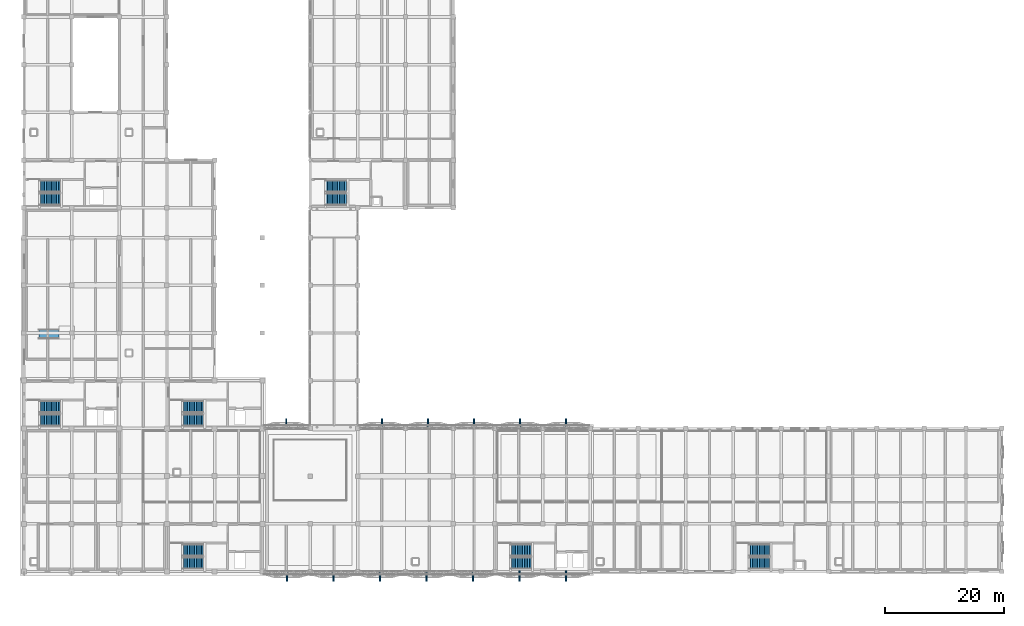
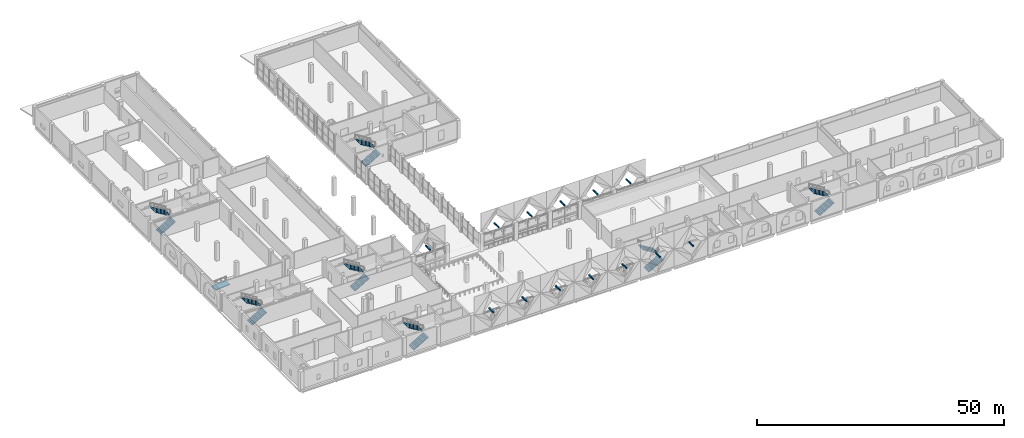
# One storey, part 37 of 53: 14 stair flights, 13 discrete accessories, 1 ramp flight, 8 elements without a shape of their own.
"""IFC4 building model written with IfcOpenShell, lengths in metres."""

from ifc_helpers import new_model, si_unit, direction, frame, origin, origin_2d, place, context, subcontext, project, spatial, polyline, rectangle, outline, extrude, material, layer, layer_set, type_object, element, aggregate, save


model = new_model("IFC4")

# Units and contexts
model_context = context("Model", 3, precision=1e-05, world=origin(), true_north=direction((0.0, 1.0)))
body_context = subcontext(model_context, "Body", "Model", "MODEL_VIEW")
ifc_project = project(units=[si_unit("LENGTHUNIT", "METRE"), si_unit("AREAUNIT", "SQUARE_METRE"), si_unit("VOLUMEUNIT", "CUBIC_METRE"), si_unit("PLANEANGLEUNIT", "RADIAN"), si_unit("MASSUNIT", "GRAM", prefix="KILO")], contexts=[model_context])

# Site, building, storey
site_placement = place(None, origin())
site = spatial("IfcSite", under=ifc_project, at=site_placement, CompositionType="ELEMENT")
building_placement = place(site_placement, origin())
building = spatial("IfcBuilding", under=site, at=building_placement, Name="Qorikala Patio Media Centre", CompositionType="ELEMENT")
storey_placement = place(building_placement, frame((0.0, 0.0, 5.39990234375)))
storey = spatial("IfcBuildingStorey", under=building, at=storey_placement, Name="L01", CompositionType="ELEMENT", Elevation=5.39990234375)

# Stair, stair flights
ifc_material_1 = material(Name="Precast concrete C40/50", Category="concrete")
stair_type = type_object("IfcStairType", Name="ST-DL-26R173W200", PredefinedType="HALF_TURN_STAIR", material=ifc_material_1)
stair_1_placement = place(storey_placement, origin())
stair_1 = element("IfcStair", 1, at=stair_1_placement, inside=storey, type_object=stair_type, Name="L01 Core C1 Exit Stair ST-1", PredefinedType="HALF_TURN_STAIR")
stair_flight_type = type_object("IfcStairFlightType", Name="FL-DL-13R173W200", PredefinedType="STRAIGHT", material=ifc_material_1)
stair_flight_1_placement = place(storey_placement, frame((29.60009765625, 4.39990234375, 0.0), z_axis=(0.0, 0.0, 1.0), x_axis=(1.0, 0.0, 0.0)))
stair_flight_1 = element("IfcStairFlight", 2, at=stair_flight_1_placement, type_object=stair_flight_type, Name="ST-1 flight 1", NumberOfRisers=13, NumberOfTreads=12, PredefinedType="STRAIGHT", RiserHeight=0.173076923, TreadLength=0.29, context=body_context, shape_type="SweptSolid", body=[
    extrude(outline(polyline([(0.0, 0.0), (0.0, 0.173095703125), (0.2900390625, 0.173095703125), (0.2900390625, 0.34619140625), (0.580078125, 0.34619140625), (0.580078125, 0.519287109375), (0.8701171875, 0.519287109375), (0.8701171875, 0.6923828125), (1.159912109375, 0.6923828125), (1.159912109375, 0.865478515625), (1.449951171875, 0.865478515625), (1.449951171875, 1.03857421875), (1.739990234375, 1.03857421875), (1.739990234375, 1.21142578125), (2.030029296875, 1.21142578125), (2.030029296875, 1.384521484375), (2.320068359375, 1.384521484375), (2.320068359375, 1.5576171875), (2.610107421875, 1.5576171875), (2.610107421875, 1.730712890625), (2.89990234375, 1.730712890625), (2.89990234375, 1.90380859375), (3.18994140625, 1.90380859375), (3.18994140625, 2.076904296875), (3.47998046875, 2.076904296875), (3.47998046875, 2.25), (3.47998046875, 1.90234375), (0.29248046875, 0.0), (0.0, 0.0)])), frame((0.0, 1.0, 0.0), z_axis=(0.0, -1.0, 0.0), x_axis=(1.0, 0.0, 0.0)), (0.0, 0.0, 1.0), 2.0),
])
stair_flight_2_placement = place(storey_placement, frame((33.080078125, 6.60009765625, 2.25), z_axis=(0.0, 0.0, 1.0), x_axis=(-1.0, 0.0, 0.0)))
stair_flight_2 = element("IfcStairFlight", 3, at=stair_flight_2_placement, type_object=stair_flight_type, Name="ST-1 flight 2", NumberOfRisers=13, NumberOfTreads=12, PredefinedType="STRAIGHT", RiserHeight=0.173076923, TreadLength=0.29, context=body_context, shape_type="SweptSolid", body=[
    extrude(outline(polyline([(0.0, 0.0), (0.0, 0.173095703125), (0.2900390625, 0.173095703125), (0.2900390625, 0.34619140625), (0.580078125, 0.34619140625), (0.580078125, 0.519287109375), (0.8701171875, 0.519287109375), (0.8701171875, 0.6923828125), (1.159912109375, 0.6923828125), (1.159912109375, 0.865478515625), (1.449951171875, 0.865478515625), (1.449951171875, 1.03857421875), (1.739990234375, 1.03857421875), (1.739990234375, 1.21142578125), (2.030029296875, 1.21142578125), (2.030029296875, 1.384521484375), (2.320068359375, 1.384521484375), (2.320068359375, 1.5576171875), (2.610107421875, 1.5576171875), (2.610107421875, 1.730712890625), (2.89990234375, 1.730712890625), (2.89990234375, 1.90380859375), (3.18994140625, 1.90380859375), (3.18994140625, 2.076904296875), (3.47998046875, 2.076904296875), (3.47998046875, 2.25), (3.47998046875, 1.90234375), (0.29248046875, 0.0), (0.0, 0.0)])), frame((0.0, 1.0, 0.0), z_axis=(0.0, -1.0, 0.0), x_axis=(1.0, 0.0, 0.0)), (0.0, 0.0, 1.0), 2.0),
])
aggregate(stair_1, [stair_flight_1, stair_flight_2])

stair_2_placement = place(storey_placement, origin())
stair_2 = element("IfcStair", 4, at=stair_2_placement, inside=storey, type_object=stair_type, Name="L01 Core C2 Exit Stair ST-2", PredefinedType="HALF_TURN_STAIR")
stair_flight_3_placement = place(storey_placement, frame((5.60009765625, 28.39990234375, 0.0), z_axis=(0.0, 0.0, 1.0), x_axis=(1.0, 0.0, 0.0)))
stair_flight_3 = element("IfcStairFlight", 5, at=stair_flight_3_placement, type_object=stair_flight_type, Name="ST-2 flight 1", NumberOfRisers=13, NumberOfTreads=12, PredefinedType="STRAIGHT", RiserHeight=0.173076923, TreadLength=0.29, context=body_context, shape_type="SweptSolid", body=[
    extrude(outline(polyline([(0.0, 0.0), (0.0, 0.173095703125), (0.2900390625, 0.173095703125), (0.2900390625, 0.34619140625), (0.580078125, 0.34619140625), (0.580078125, 0.519287109375), (0.8701171875, 0.519287109375), (0.8701171875, 0.6923828125), (1.159912109375, 0.6923828125), (1.159912109375, 0.865478515625), (1.449951171875, 0.865478515625), (1.449951171875, 1.03857421875), (1.739990234375, 1.03857421875), (1.739990234375, 1.21142578125), (2.030029296875, 1.21142578125), (2.030029296875, 1.384521484375), (2.320068359375, 1.384521484375), (2.320068359375, 1.5576171875), (2.610107421875, 1.5576171875), (2.610107421875, 1.730712890625), (2.89990234375, 1.730712890625), (2.89990234375, 1.90380859375), (3.18994140625, 1.90380859375), (3.18994140625, 2.076904296875), (3.47998046875, 2.076904296875), (3.47998046875, 2.25), (3.47998046875, 1.90234375), (0.29248046875, 0.0), (0.0, 0.0)])), frame((0.0, 1.0, 0.0), z_axis=(0.0, -1.0, 0.0), x_axis=(1.0, 0.0, 0.0)), (0.0, 0.0, 1.0), 2.0),
])
stair_flight_4_placement = place(storey_placement, frame((9.080078125, 30.60009765625, 2.25), z_axis=(0.0, 0.0, 1.0), x_axis=(-1.0, 0.0, 0.0)))
stair_flight_4 = element("IfcStairFlight", 6, at=stair_flight_4_placement, type_object=stair_flight_type, Name="ST-2 flight 2", NumberOfRisers=13, NumberOfTreads=12, PredefinedType="STRAIGHT", RiserHeight=0.173076923, TreadLength=0.29, context=body_context, shape_type="SweptSolid", body=[
    extrude(outline(polyline([(0.0, 0.0), (0.0, 0.173095703125), (0.2900390625, 0.173095703125), (0.2900390625, 0.34619140625), (0.580078125, 0.34619140625), (0.580078125, 0.519287109375), (0.8701171875, 0.519287109375), (0.8701171875, 0.6923828125), (1.159912109375, 0.6923828125), (1.159912109375, 0.865478515625), (1.449951171875, 0.865478515625), (1.449951171875, 1.03857421875), (1.739990234375, 1.03857421875), (1.739990234375, 1.21142578125), (2.030029296875, 1.21142578125), (2.030029296875, 1.384521484375), (2.320068359375, 1.384521484375), (2.320068359375, 1.5576171875), (2.610107421875, 1.5576171875), (2.610107421875, 1.730712890625), (2.89990234375, 1.730712890625), (2.89990234375, 1.90380859375), (3.18994140625, 1.90380859375), (3.18994140625, 2.076904296875), (3.47998046875, 2.076904296875), (3.47998046875, 2.25), (3.47998046875, 1.90234375), (0.29248046875, 0.0), (0.0, 0.0)])), frame((0.0, 1.0, 0.0), z_axis=(0.0, -1.0, 0.0), x_axis=(1.0, 0.0, 0.0)), (0.0, 0.0, 1.0), 2.0),
])
aggregate(stair_2, [stair_flight_3, stair_flight_4])

stair_3_placement = place(storey_placement, origin())
stair_3 = element("IfcStair", 7, at=stair_3_placement, inside=storey, type_object=stair_type, Name="L01 Core C3 Exit Stair ST-3", PredefinedType="HALF_TURN_STAIR")
stair_flight_5_placement = place(storey_placement, frame((5.60009765625, 65.39990234375, 0.0), z_axis=(0.0, 0.0, 1.0), x_axis=(1.0, 0.0, 0.0)))
stair_flight_5 = element("IfcStairFlight", 8, at=stair_flight_5_placement, type_object=stair_flight_type, Name="ST-3 flight 1", NumberOfRisers=13, NumberOfTreads=12, PredefinedType="STRAIGHT", RiserHeight=0.173076923, TreadLength=0.29, context=body_context, shape_type="SweptSolid", body=[
    extrude(outline(polyline([(0.0, 0.0), (0.0, 0.173095703125), (0.2900390625, 0.173095703125), (0.2900390625, 0.34619140625), (0.580078125, 0.34619140625), (0.580078125, 0.519287109375), (0.8701171875, 0.519287109375), (0.8701171875, 0.6923828125), (1.159912109375, 0.6923828125), (1.159912109375, 0.865478515625), (1.449951171875, 0.865478515625), (1.449951171875, 1.03857421875), (1.739990234375, 1.03857421875), (1.739990234375, 1.21142578125), (2.030029296875, 1.21142578125), (2.030029296875, 1.384521484375), (2.320068359375, 1.384521484375), (2.320068359375, 1.5576171875), (2.610107421875, 1.5576171875), (2.610107421875, 1.730712890625), (2.89990234375, 1.730712890625), (2.89990234375, 1.90380859375), (3.18994140625, 1.90380859375), (3.18994140625, 2.076904296875), (3.47998046875, 2.076904296875), (3.47998046875, 2.25), (3.47998046875, 1.90234375), (0.29248046875, 0.0), (0.0, 0.0)])), frame((0.0, 1.0, 0.0), z_axis=(0.0, -1.0, 0.0), x_axis=(1.0, 0.0, 0.0)), (0.0, 0.0, 1.0), 2.0),
])
stair_flight_6_placement = place(storey_placement, frame((9.080078125, 67.60009765625, 2.25), z_axis=(0.0, 0.0, 1.0), x_axis=(-1.0, 0.0, 0.0)))
stair_flight_6 = element("IfcStairFlight", 9, at=stair_flight_6_placement, type_object=stair_flight_type, Name="ST-3 flight 2", NumberOfRisers=13, NumberOfTreads=12, PredefinedType="STRAIGHT", RiserHeight=0.173076923, TreadLength=0.29, context=body_context, shape_type="SweptSolid", body=[
    extrude(outline(polyline([(0.0, 0.0), (0.0, 0.173095703125), (0.2900390625, 0.173095703125), (0.2900390625, 0.34619140625), (0.580078125, 0.34619140625), (0.580078125, 0.519287109375), (0.8701171875, 0.519287109375), (0.8701171875, 0.6923828125), (1.159912109375, 0.6923828125), (1.159912109375, 0.865478515625), (1.449951171875, 0.865478515625), (1.449951171875, 1.03857421875), (1.739990234375, 1.03857421875), (1.739990234375, 1.21142578125), (2.030029296875, 1.21142578125), (2.030029296875, 1.384521484375), (2.320068359375, 1.384521484375), (2.320068359375, 1.5576171875), (2.610107421875, 1.5576171875), (2.610107421875, 1.730712890625), (2.89990234375, 1.730712890625), (2.89990234375, 1.90380859375), (3.18994140625, 1.90380859375), (3.18994140625, 2.076904296875), (3.47998046875, 2.076904296875), (3.47998046875, 2.25), (3.47998046875, 1.90234375), (0.29248046875, 0.0), (0.0, 0.0)])), frame((0.0, 1.0, 0.0), z_axis=(0.0, -1.0, 0.0), x_axis=(1.0, 0.0, 0.0)), (0.0, 0.0, 1.0), 2.0),
])
aggregate(stair_3, [stair_flight_5, stair_flight_6])

stair_4_placement = place(storey_placement, origin())
stair_4 = element("IfcStair", 10, at=stair_4_placement, inside=storey, type_object=stair_type, Name="L01 Core C4 Exit Stair ST-4", PredefinedType="HALF_TURN_STAIR")
stair_flight_7_placement = place(storey_placement, frame((84.60009765625, 4.39990234375, 0.0), z_axis=(0.0, 0.0, 1.0), x_axis=(1.0, 0.0, 0.0)))
stair_flight_7 = element("IfcStairFlight", 11, at=stair_flight_7_placement, type_object=stair_flight_type, Name="ST-4 flight 1", NumberOfRisers=13, NumberOfTreads=12, PredefinedType="STRAIGHT", RiserHeight=0.173076923, TreadLength=0.29, context=body_context, shape_type="SweptSolid", body=[
    extrude(outline(polyline([(0.0, 0.0), (0.0, 0.173095703125), (0.2900390625, 0.173095703125), (0.2900390625, 0.34619140625), (0.580078125, 0.34619140625), (0.580078125, 0.519287109375), (0.8701171875, 0.519287109375), (0.8701171875, 0.6923828125), (1.159912109375, 0.6923828125), (1.159912109375, 0.865478515625), (1.449951171875, 0.865478515625), (1.449951171875, 1.03857421875), (1.739990234375, 1.03857421875), (1.739990234375, 1.21142578125), (2.030029296875, 1.21142578125), (2.030029296875, 1.384521484375), (2.320068359375, 1.384521484375), (2.320068359375, 1.5576171875), (2.610107421875, 1.5576171875), (2.610107421875, 1.730712890625), (2.89990234375, 1.730712890625), (2.89990234375, 1.90380859375), (3.18994140625, 1.90380859375), (3.18994140625, 2.076904296875), (3.47998046875, 2.076904296875), (3.47998046875, 2.25), (3.47998046875, 1.90234375), (0.29248046875, 0.0), (0.0, 0.0)])), frame((0.0, 1.0, 0.0), z_axis=(0.0, -1.0, 0.0), x_axis=(1.0, 0.0, 0.0)), (0.0, 0.0, 1.0), 2.0),
])
stair_flight_8_placement = place(storey_placement, frame((88.080078125, 6.60009765625, 2.25), z_axis=(0.0, 0.0, 1.0), x_axis=(-1.0, 0.0, 0.0)))
stair_flight_8 = element("IfcStairFlight", 12, at=stair_flight_8_placement, type_object=stair_flight_type, Name="ST-4 flight 2", NumberOfRisers=13, NumberOfTreads=12, PredefinedType="STRAIGHT", RiserHeight=0.173076923, TreadLength=0.29, context=body_context, shape_type="SweptSolid", body=[
    extrude(outline(polyline([(0.0, 0.0), (0.0, 0.173095703125), (0.2900390625, 0.173095703125), (0.2900390625, 0.34619140625), (0.580078125, 0.34619140625), (0.580078125, 0.519287109375), (0.8701171875, 0.519287109375), (0.8701171875, 0.6923828125), (1.159912109375, 0.6923828125), (1.159912109375, 0.865478515625), (1.449951171875, 0.865478515625), (1.449951171875, 1.03857421875), (1.739990234375, 1.03857421875), (1.739990234375, 1.21142578125), (2.030029296875, 1.21142578125), (2.030029296875, 1.384521484375), (2.320068359375, 1.384521484375), (2.320068359375, 1.5576171875), (2.610107421875, 1.5576171875), (2.610107421875, 1.730712890625), (2.89990234375, 1.730712890625), (2.89990234375, 1.90380859375), (3.18994140625, 1.90380859375), (3.18994140625, 2.076904296875), (3.47998046875, 2.076904296875), (3.47998046875, 2.25), (3.47998046875, 1.90234375), (0.29248046875, 0.0), (0.0, 0.0)])), frame((0.0, 1.0, 0.0), z_axis=(0.0, -1.0, 0.0), x_axis=(1.0, 0.0, 0.0)), (0.0, 0.0, 1.0), 2.0),
])
aggregate(stair_4, [stair_flight_7, stair_flight_8])

stair_5_placement = place(storey_placement, origin())
stair_5 = element("IfcStair", 13, at=stair_5_placement, inside=storey, type_object=stair_type, Name="L01 Core C5 Exit Stair ST-5", PredefinedType="HALF_TURN_STAIR")
stair_flight_9_placement = place(storey_placement, frame((29.60009765625, 28.39990234375, 0.0), z_axis=(0.0, 0.0, 1.0), x_axis=(1.0, 0.0, 0.0)))
stair_flight_9 = element("IfcStairFlight", 14, at=stair_flight_9_placement, type_object=stair_flight_type, Name="ST-5 flight 1", NumberOfRisers=13, NumberOfTreads=12, PredefinedType="STRAIGHT", RiserHeight=0.173076923, TreadLength=0.29, context=body_context, shape_type="SweptSolid", body=[
    extrude(outline(polyline([(0.0, 0.0), (0.0, 0.173095703125), (0.2900390625, 0.173095703125), (0.2900390625, 0.34619140625), (0.580078125, 0.34619140625), (0.580078125, 0.519287109375), (0.8701171875, 0.519287109375), (0.8701171875, 0.6923828125), (1.159912109375, 0.6923828125), (1.159912109375, 0.865478515625), (1.449951171875, 0.865478515625), (1.449951171875, 1.03857421875), (1.739990234375, 1.03857421875), (1.739990234375, 1.21142578125), (2.030029296875, 1.21142578125), (2.030029296875, 1.384521484375), (2.320068359375, 1.384521484375), (2.320068359375, 1.5576171875), (2.610107421875, 1.5576171875), (2.610107421875, 1.730712890625), (2.89990234375, 1.730712890625), (2.89990234375, 1.90380859375), (3.18994140625, 1.90380859375), (3.18994140625, 2.076904296875), (3.47998046875, 2.076904296875), (3.47998046875, 2.25), (3.47998046875, 1.90234375), (0.29248046875, 0.0), (0.0, 0.0)])), frame((0.0, 1.0, 0.0), z_axis=(0.0, -1.0, 0.0), x_axis=(1.0, 0.0, 0.0)), (0.0, 0.0, 1.0), 2.0),
])
stair_flight_10_placement = place(storey_placement, frame((33.080078125, 30.60009765625, 2.25), z_axis=(0.0, 0.0, 1.0), x_axis=(-1.0, 0.0, 0.0)))
stair_flight_10 = element("IfcStairFlight", 15, at=stair_flight_10_placement, type_object=stair_flight_type, Name="ST-5 flight 2", NumberOfRisers=13, NumberOfTreads=12, PredefinedType="STRAIGHT", RiserHeight=0.173076923, TreadLength=0.29, context=body_context, shape_type="SweptSolid", body=[
    extrude(outline(polyline([(0.0, 0.0), (0.0, 0.173095703125), (0.2900390625, 0.173095703125), (0.2900390625, 0.34619140625), (0.580078125, 0.34619140625), (0.580078125, 0.519287109375), (0.8701171875, 0.519287109375), (0.8701171875, 0.6923828125), (1.159912109375, 0.6923828125), (1.159912109375, 0.865478515625), (1.449951171875, 0.865478515625), (1.449951171875, 1.03857421875), (1.739990234375, 1.03857421875), (1.739990234375, 1.21142578125), (2.030029296875, 1.21142578125), (2.030029296875, 1.384521484375), (2.320068359375, 1.384521484375), (2.320068359375, 1.5576171875), (2.610107421875, 1.5576171875), (2.610107421875, 1.730712890625), (2.89990234375, 1.730712890625), (2.89990234375, 1.90380859375), (3.18994140625, 1.90380859375), (3.18994140625, 2.076904296875), (3.47998046875, 2.076904296875), (3.47998046875, 2.25), (3.47998046875, 1.90234375), (0.29248046875, 0.0), (0.0, 0.0)])), frame((0.0, 1.0, 0.0), z_axis=(0.0, -1.0, 0.0), x_axis=(1.0, 0.0, 0.0)), (0.0, 0.0, 1.0), 2.0),
])
aggregate(stair_5, [stair_flight_9, stair_flight_10])

stair_6_placement = place(storey_placement, origin())
stair_6 = element("IfcStair", 16, at=stair_6_placement, inside=storey, type_object=stair_type, Name="L01 Core C6 Exit Stair ST-6", PredefinedType="HALF_TURN_STAIR")
stair_flight_11_placement = place(storey_placement, frame((53.60009765625, 65.39990234375, 0.0), z_axis=(0.0, 0.0, 1.0), x_axis=(1.0, 0.0, 0.0)))
stair_flight_11 = element("IfcStairFlight", 17, at=stair_flight_11_placement, type_object=stair_flight_type, Name="ST-6 flight 1", NumberOfRisers=13, NumberOfTreads=12, PredefinedType="STRAIGHT", RiserHeight=0.173076923, TreadLength=0.29, context=body_context, shape_type="SweptSolid", body=[
    extrude(outline(polyline([(0.0, 0.0), (0.0, 0.173095703125), (0.2900390625, 0.173095703125), (0.2900390625, 0.34619140625), (0.580078125, 0.34619140625), (0.580078125, 0.519287109375), (0.8701171875, 0.519287109375), (0.8701171875, 0.6923828125), (1.159912109375, 0.6923828125), (1.159912109375, 0.865478515625), (1.449951171875, 0.865478515625), (1.449951171875, 1.03857421875), (1.739990234375, 1.03857421875), (1.739990234375, 1.21142578125), (2.030029296875, 1.21142578125), (2.030029296875, 1.384521484375), (2.320068359375, 1.384521484375), (2.320068359375, 1.5576171875), (2.610107421875, 1.5576171875), (2.610107421875, 1.730712890625), (2.89990234375, 1.730712890625), (2.89990234375, 1.90380859375), (3.18994140625, 1.90380859375), (3.18994140625, 2.076904296875), (3.47998046875, 2.076904296875), (3.47998046875, 2.25), (3.47998046875, 1.90234375), (0.29248046875, 0.0), (0.0, 0.0)])), frame((0.0, 1.0, 0.0), z_axis=(0.0, -1.0, 0.0), x_axis=(1.0, 0.0, 0.0)), (0.0, 0.0, 1.0), 2.0),
])
stair_flight_12_placement = place(storey_placement, frame((57.080078125, 67.60009765625, 2.25), z_axis=(0.0, 0.0, 1.0), x_axis=(-1.0, 0.0, 0.0)))
stair_flight_12 = element("IfcStairFlight", 18, at=stair_flight_12_placement, type_object=stair_flight_type, Name="ST-6 flight 2", NumberOfRisers=13, NumberOfTreads=12, PredefinedType="STRAIGHT", RiserHeight=0.173076923, TreadLength=0.29, context=body_context, shape_type="SweptSolid", body=[
    extrude(outline(polyline([(0.0, 0.0), (0.0, 0.173095703125), (0.2900390625, 0.173095703125), (0.2900390625, 0.34619140625), (0.580078125, 0.34619140625), (0.580078125, 0.519287109375), (0.8701171875, 0.519287109375), (0.8701171875, 0.6923828125), (1.159912109375, 0.6923828125), (1.159912109375, 0.865478515625), (1.449951171875, 0.865478515625), (1.449951171875, 1.03857421875), (1.739990234375, 1.03857421875), (1.739990234375, 1.21142578125), (2.030029296875, 1.21142578125), (2.030029296875, 1.384521484375), (2.320068359375, 1.384521484375), (2.320068359375, 1.5576171875), (2.610107421875, 1.5576171875), (2.610107421875, 1.730712890625), (2.89990234375, 1.730712890625), (2.89990234375, 1.90380859375), (3.18994140625, 1.90380859375), (3.18994140625, 2.076904296875), (3.47998046875, 2.076904296875), (3.47998046875, 2.25), (3.47998046875, 1.90234375), (0.29248046875, 0.0), (0.0, 0.0)])), frame((0.0, 1.0, 0.0), z_axis=(0.0, -1.0, 0.0), x_axis=(1.0, 0.0, 0.0)), (0.0, 0.0, 1.0), 2.0),
])
aggregate(stair_6, [stair_flight_11, stair_flight_12])

stair_7_placement = place(storey_placement, origin())
stair_7 = element("IfcStair", 19, at=stair_7_placement, inside=storey, type_object=stair_type, Name="L01 Core C7 Exit Stair ST-7", PredefinedType="HALF_TURN_STAIR")
stair_flight_13_placement = place(storey_placement, frame((124.60009765625, 4.39990234375, 0.0), z_axis=(0.0, 0.0, 1.0), x_axis=(1.0, 0.0, 0.0)))
stair_flight_13 = element("IfcStairFlight", 20, at=stair_flight_13_placement, type_object=stair_flight_type, Name="ST-7 flight 1", NumberOfRisers=13, NumberOfTreads=12, PredefinedType="STRAIGHT", RiserHeight=0.173076923, TreadLength=0.29, context=body_context, shape_type="SweptSolid", body=[
    extrude(outline(polyline([(0.0, 0.0), (0.0, 0.173095703125), (0.2900390625, 0.173095703125), (0.2900390625, 0.34619140625), (0.580078125, 0.34619140625), (0.580078125, 0.519287109375), (0.8701171875, 0.519287109375), (0.8701171875, 0.6923828125), (1.159912109375, 0.6923828125), (1.159912109375, 0.865478515625), (1.449951171875, 0.865478515625), (1.449951171875, 1.03857421875), (1.739990234375, 1.03857421875), (1.739990234375, 1.21142578125), (2.030029296875, 1.21142578125), (2.030029296875, 1.384521484375), (2.320068359375, 1.384521484375), (2.320068359375, 1.5576171875), (2.610107421875, 1.5576171875), (2.610107421875, 1.730712890625), (2.89990234375, 1.730712890625), (2.89990234375, 1.90380859375), (3.18994140625, 1.90380859375), (3.18994140625, 2.076904296875), (3.47998046875, 2.076904296875), (3.47998046875, 2.25), (3.47998046875, 1.90234375), (0.29248046875, 0.0), (0.0, 0.0)])), frame((0.0, 1.0, 0.0), z_axis=(0.0, -1.0, 0.0), x_axis=(1.0, 0.0, 0.0)), (0.0, 0.0, 1.0), 2.0),
])
stair_flight_14_placement = place(storey_placement, frame((128.080078125, 6.60009765625, 2.25), z_axis=(0.0, 0.0, 1.0), x_axis=(-1.0, 0.0, 0.0)))
stair_flight_14 = element("IfcStairFlight", 21, at=stair_flight_14_placement, type_object=stair_flight_type, Name="ST-7 flight 2", NumberOfRisers=13, NumberOfTreads=12, PredefinedType="STRAIGHT", RiserHeight=0.173076923, TreadLength=0.29, context=body_context, shape_type="SweptSolid", body=[
    extrude(outline(polyline([(0.0, 0.0), (0.0, 0.173095703125), (0.2900390625, 0.173095703125), (0.2900390625, 0.34619140625), (0.580078125, 0.34619140625), (0.580078125, 0.519287109375), (0.8701171875, 0.519287109375), (0.8701171875, 0.6923828125), (1.159912109375, 0.6923828125), (1.159912109375, 0.865478515625), (1.449951171875, 0.865478515625), (1.449951171875, 1.03857421875), (1.739990234375, 1.03857421875), (1.739990234375, 1.21142578125), (2.030029296875, 1.21142578125), (2.030029296875, 1.384521484375), (2.320068359375, 1.384521484375), (2.320068359375, 1.5576171875), (2.610107421875, 1.5576171875), (2.610107421875, 1.730712890625), (2.89990234375, 1.730712890625), (2.89990234375, 1.90380859375), (3.18994140625, 1.90380859375), (3.18994140625, 2.076904296875), (3.47998046875, 2.076904296875), (3.47998046875, 2.25), (3.47998046875, 1.90234375), (0.29248046875, 0.0), (0.0, 0.0)])), frame((0.0, 1.0, 0.0), z_axis=(0.0, -1.0, 0.0), x_axis=(1.0, 0.0, 0.0)), (0.0, 0.0, 1.0), 2.0),
])
aggregate(stair_7, [stair_flight_13, stair_flight_14])

# Ramp, ramp flight
ifc_material_2 = material(Name="Comanche Granite and Concrete C35/45", Category="masonry")
ramp_type = type_object("IfcRampType", Name="RMP-PED", PredefinedType="STRAIGHT_RUN_RAMP", material=ifc_material_2)
ramp_placement = place(storey_placement, origin())
ramp = element("IfcRamp", 22, at=ramp_placement, inside=storey, type_object=ramp_type, Name="L01 Accessible Pedestrian Ramp RP-02", PredefinedType="STRAIGHT_RUN_RAMP")
ifc_layer = layer(ifc_material_2, 0.219970703125)
ifc_layer_set = layer_set([ifc_layer], Name="Comanche Granite and Concrete C35/45")
ramp_flight_type = type_object("IfcRampFlightType", Name="RMF-PED", PredefinedType="STRAIGHT", material=ifc_layer_set)
ramp_flight_placement = place(storey_placement, frame((5.5, 42.0, 0.0), z_axis=(-0.071241899553, 0.0, 0.997459067706), x_axis=(0.997459067706, 0.0, 0.071241899553)))
ramp_flight = element("IfcRampFlight", 23, at=ramp_flight_placement, type_object=ramp_flight_type, Name="L01 Accessible Ramp Flight RP-02", PredefinedType="STRAIGHT", context=body_context, shape_type="SweptSolid", body=[
    extrude(outline(polyline([(0.0, 0.0), (3.3686669765850747, 0.0), (3.3686669765850747, 1.60009765625), (0.0, 1.60009765625), (0.0, 0.0)])), origin(), (0.0, 0.0, -1.0), 0.219970703125),
])
aggregate(ramp, [ramp_flight])

# Discrete accessories
ifc_material_3 = material(Name="Steel S355", Category="steel")
discrete_accessory_type = type_object("IfcDiscreteAccessoryType", Name="ACC-BRACKET", PredefinedType="BRACKET", material=ifc_material_3)
for number, where, z_axis, x_axis, name in (
    (24, (47.10009765625, 2.235107421875, 4.3798828125), (0.0, 0.0, 1.0), (1.0, 0.0, 0.0), "Foyer 3D Diamond Apex Bracket S-151"),
    (25, (54.89990234375, 2.235107421875, 4.3798828125), (0.0, 0.0, 1.0), (1.0, 0.0, 0.0), "Foyer 3D Diamond Apex Bracket S-152"),
    (26, (62.699951171875, 2.235107421875, 4.3798828125), (0.0, 0.0, 1.0), (1.0, 0.0, 0.0), "Foyer 3D Diamond Apex Bracket S-153"),
    (27, (70.5, 2.235107421875, 4.3798828125), (0.0, 0.0, 1.0), (1.0, 0.0, 0.0), "Foyer 3D Diamond Apex Bracket S-154"),
    (28, (78.300048828125, 2.235107421875, 4.3798828125), (0.0, 0.0, 1.0), (1.0, 0.0, 0.0), "Foyer 3D Diamond Apex Bracket S-155"),
    (29, (86.10009765625, 2.235107421875, 4.3798828125), (0.0, 0.0, 1.0), (1.0, 0.0, 0.0), "Foyer 3D Diamond Apex Bracket S-156"),
    (30, (93.89990234375, 2.235107421875, 4.3798828125), (0.0, 0.0, 1.0), (1.0, 0.0, 0.0), "Foyer 3D Diamond Apex Bracket S-157"),
    (31, (63.06005859375, 27.764892578125, 4.3798828125), (0.0, 0.0, 1.0), (1.0, 0.0, 0.0), "Foyer 3D Diamond Apex Bracket N-165"),
    (32, (70.780029296875, 27.764892578125, 4.3798828125), (0.0, 0.0, 1.0), (1.0, 0.0, 0.0), "Foyer 3D Diamond Apex Bracket N-166"),
    (33, (78.5, 27.764892578125, 4.3798828125), (0.0, 0.0, 1.0), (1.0, 0.0, 0.0), "Foyer 3D Diamond Apex Bracket N-167"),
    (34, (86.219970703125, 27.764892578125, 4.3798828125), (0.0, 0.0, 1.0), (1.0, 0.0, 0.0), "Foyer 3D Diamond Apex Bracket N-168"),
    (35, (93.93994140625, 27.764892578125, 4.3798828125), (0.0, 0.0, 1.0), (1.0, 0.0, 0.0), "Foyer 3D Diamond Apex Bracket N-169"),
    (36, (47.0, 27.764892578125, 4.3798828125), (0.0, 0.0, 1.0), (1.0, 0.0, 0.0), "Foyer 3D Diamond Apex Bracket NW-175"),
):
    element("IfcDiscreteAccessory", number, at=place(storey_placement, frame(where, z_axis=z_axis, x_axis=x_axis)), inside=storey, type_object=discrete_accessory_type, Name=name, PredefinedType="BRACKET", context=body_context, shape_type="SweptSolid", body=[
        extrude(rectangle(XDim=0.239990234375, YDim=1.72998046875, at=origin_2d()), origin(), (0.0, 0.0, 1.0), 0.239990234375),
    ])

save(model, "model.ifc")
